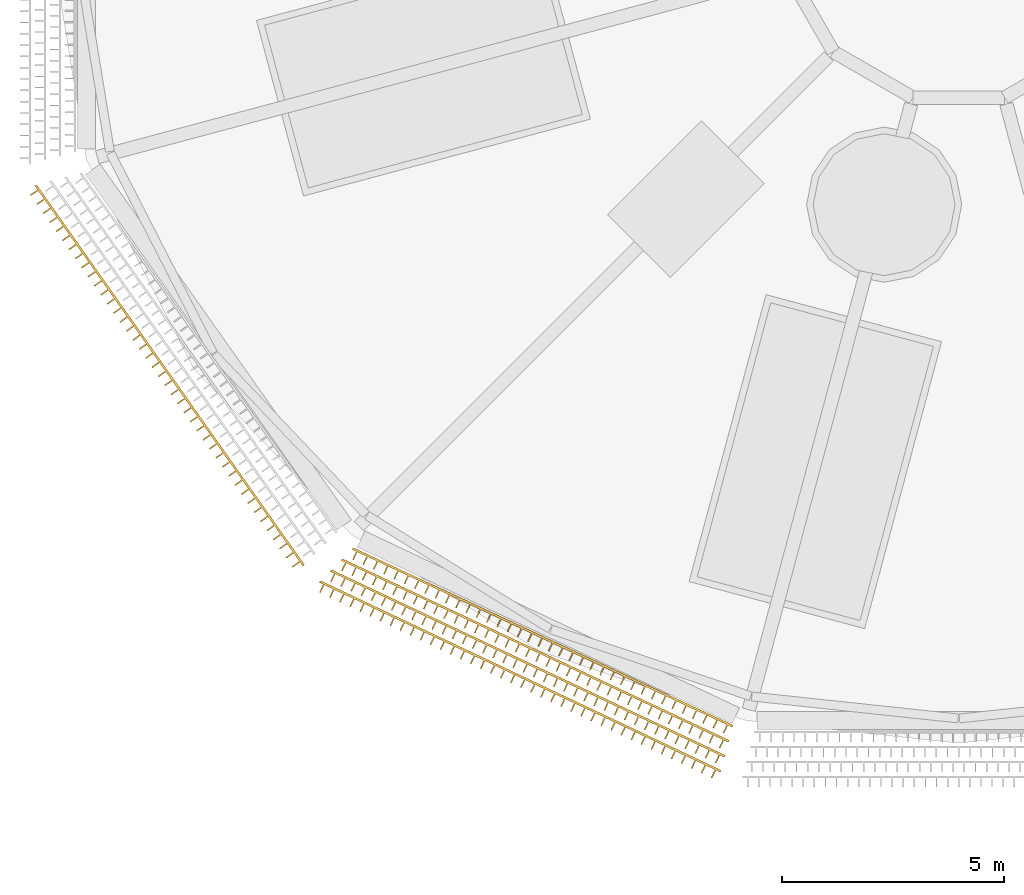
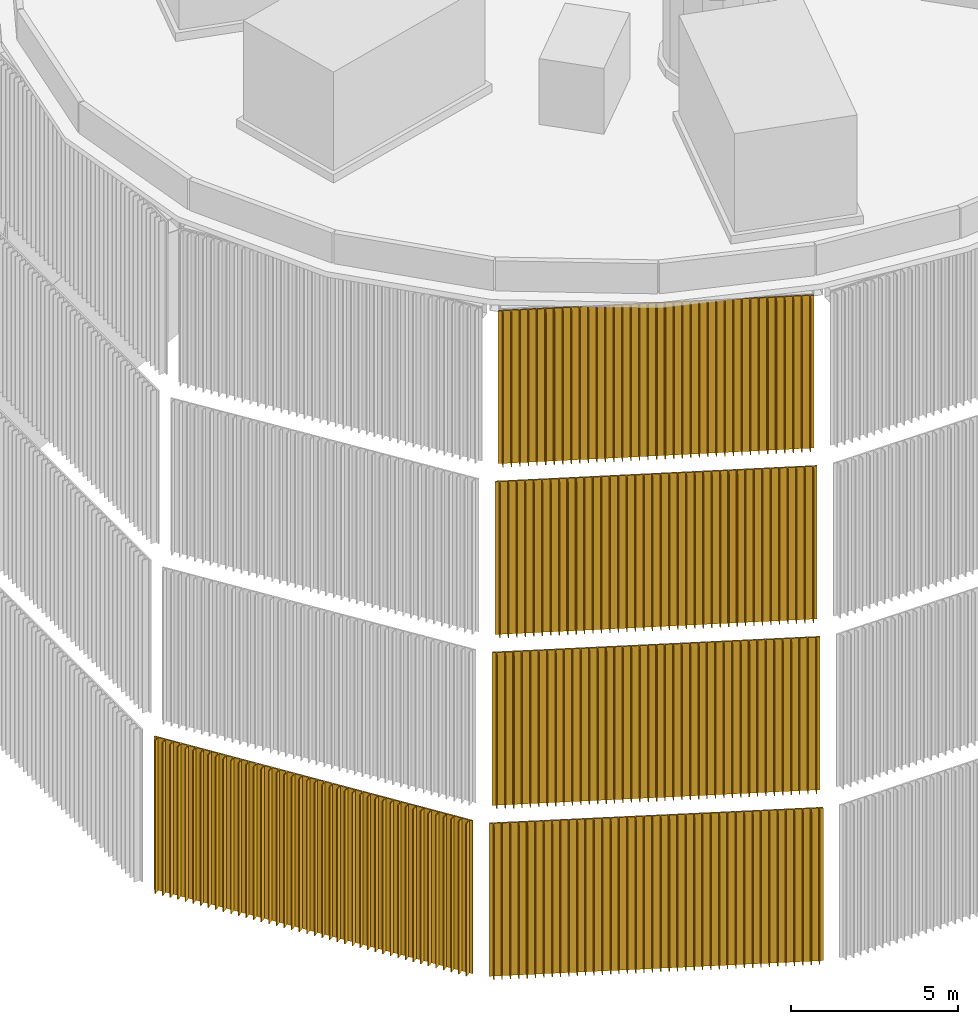
# One storey, part 3 of 24: 5 coverings.
"""IFC4 building model written with IfcOpenShell, lengths in metres."""

from ifc_helpers import new_model, si_unit, direction, frame, origin, place, context, subcontext, project, spatial, polyline, outline, extrude, material, type_object, element, save


model = new_model("IFC4")

# Units and contexts
model_context = context("Model", 3, precision=1e-05, world=origin(), true_north=direction((0.0, 1.0)))
body_context = subcontext(model_context, "Body", "Model", "MODEL_VIEW")
ifc_project = project(units=[si_unit("LENGTHUNIT", "METRE"), si_unit("AREAUNIT", "SQUARE_METRE"), si_unit("VOLUMEUNIT", "CUBIC_METRE"), si_unit("PLANEANGLEUNIT", "RADIAN"), si_unit("MASSUNIT", "GRAM", prefix="KILO")], contexts=[model_context])

# Site, building, storey
site_placement = place(None, origin())
site = spatial("IfcSite", under=ifc_project, at=site_placement, CompositionType="ELEMENT")
building_placement = place(site_placement, origin())
building = spatial("IfcBuilding", under=site, at=building_placement, Name="Rimbun Link Towers", CompositionType="ELEMENT")
storey_placement = place(building_placement, frame((0.0, 0.0, 294.89990234375)))
storey = spatial("IfcBuildingStorey", under=building, at=storey_placement, Name="Roof cap", CompositionType="ELEMENT", Elevation=294.89990234375)

# Coverings
ifc_material = material(Name="Terracotta", Category="masonry")
covering_type = type_object("IfcCoveringType", Name="TERRACOTTA CLADDING screen fins", PredefinedType="CLADDING", material=ifc_material)
covering_1_placement = place(storey_placement, frame((0.0, 0.0, -23.087890625)))
element("IfcCovering", 1, at=covering_1_placement, inside=storey, type_object=covering_type, Name="TERRACOTTA CLADDING screen", PredefinedType="CLADDING", context=body_context, shape_type="SweptSolid", body=[
    extrude(outline(polyline([(-52.59375, -5.847900390625), (-52.5302734375, -5.93798828125), (-52.693603515625, -6.05322265625), (-52.676513671875, -6.07763671875), (-52.512939453125, -5.96240234375), (-52.38623046875, -6.142333984375), (-52.5498046875, -6.257568359375), (-52.532470703125, -6.281982421875), (-52.368896484375, -6.1669921875), (-52.2421875, -6.3466796875), (-52.405517578125, -6.4619140625), (-52.38818359375, -6.486572265625), (-52.224853515625, -6.371337890625), (-52.09814453125, -6.55126953125), (-52.261474609375, -6.66650390625), (-52.244384765625, -6.69091796875), (-52.080810546875, -6.57568359375), (-51.9541015625, -6.755615234375), (-52.117431640625, -6.870849609375), (-52.10009765625, -6.8955078125), (-51.936767578125, -6.7802734375), (-51.809814453125, -6.960205078125), (-51.973388671875, -7.0751953125), (-51.9560546875, -7.099853515625), (-51.792724609375, -6.984619140625), (-51.666015625, -7.16455078125), (-51.829345703125, -7.27978515625), (-51.81201171875, -7.30419921875), (-51.648681640625, -7.18896484375), (-51.521728515625, -7.368896484375), (-51.685302734375, -7.484130859375), (-51.66796875, -7.508544921875), (-51.50439453125, -7.393310546875), (-51.377685546875, -7.5732421875), (-51.541259765625, -7.6884765625), (-51.52392578125, -7.713134765625), (-51.3603515625, -7.597900390625), (-51.233642578125, -7.77783203125), (-51.397216796875, -7.89306640625), (-51.3798828125, -7.91748046875), (-51.21630859375, -7.80224609375), (-51.089599609375, -7.982177734375), (-51.253173828125, -8.097412109375), (-51.23583984375, -8.121826171875), (-51.072265625, -8.006591796875), (-50.945556640625, -8.1865234375), (-51.10888671875, -8.3017578125), (-51.091796875, -8.326416015625), (-50.92822265625, -8.211181640625), (-50.801513671875, -8.39111328125), (-50.96484375, -8.506103515625), (-50.94775390625, -8.53076171875), (-50.7841796875, -8.41552734375), (-50.657470703125, -8.595458984375), (-50.82080078125, -8.710693359375), (-50.8037109375, -8.735107421875), (-50.64013671875, -8.619873046875), (-50.51318359375, -8.7998046875), (-50.6767578125, -8.9150390625), (-50.659423828125, -8.939697265625), (-50.49609375, -8.824462890625), (-50.369384765625, -9.00439453125), (-50.53271484375, -9.119384765625), (-50.515380859375, -9.14404296875), (-50.35205078125, -9.02880859375), (-50.22509765625, -9.208740234375), (-50.388671875, -9.323974609375), (-50.371337890625, -9.348388671875), (-50.2080078125, -9.233154296875), (-50.0810546875, -9.4130859375), (-50.24462890625, -9.5283203125), (-50.227294921875, -9.552734375), (-50.063720703125, -9.4375), (-49.93701171875, -9.617431640625), (-50.1005859375, -9.732666015625), (-50.083251953125, -9.75732421875), (-49.919921875, -9.64208984375), (-49.79296875, -9.822021484375), (-49.95654296875, -9.937255859375), (-49.939208984375, -9.961669921875), (-49.775634765625, -9.846435546875), (-49.64892578125, -10.0263671875), (-49.8125, -10.1416015625), (-49.795166015625, -10.166015625), (-49.631591796875, -10.05078125), (-49.5048828125, -10.230712890625), (-49.668212890625, -10.345947265625), (-49.651123046875, -10.37060546875), (-49.487548828125, -10.25537109375), (-49.36083984375, -10.435302734375), (-49.5244140625, -10.55029296875), (-49.507080078125, -10.574951171875), (-49.343505859375, -10.459716796875), (-49.216796875, -10.6396484375), (-49.380126953125, -10.7548828125), (-49.36279296875, -10.779296875), (-49.199462890625, -10.6640625), (-49.07275390625, -10.843994140625), (-49.236083984375, -10.959228515625), (-49.218994140625, -10.98388671875), (-49.055419921875, -10.86865234375), (-48.9287109375, -11.048583984375), (-49.092041015625, -11.163818359375), (-49.07470703125, -11.188232421875), (-48.911376953125, -11.072998046875), (-48.784423828125, -11.2529296875), (-48.947998046875, -11.3681640625), (-48.9306640625, -11.392578125), (-48.76708984375, -11.27734375), (-48.640380859375, -11.457275390625), (-48.803955078125, -11.572509765625), (-48.78662109375, -11.596923828125), (-48.623291015625, -11.481689453125), (-48.496337890625, -11.66162109375), (-48.659912109375, -11.77685546875), (-48.642578125, -11.801513671875), (-48.47900390625, -11.686279296875), (-48.352294921875, -11.8662109375), (-48.515869140625, -11.981201171875), (-48.49853515625, -12.005859375), (-48.3349609375, -11.890625), (-48.208251953125, -12.070556640625), (-48.37158203125, -12.185791015625), (-48.3544921875, -12.210205078125), (-48.19091796875, -12.09521484375), (-48.064208984375, -12.27490234375), (-48.227783203125, -12.39013671875), (-48.21044921875, -12.414794921875), (-48.046875, -12.299560546875), (-47.920166015625, -12.4794921875), (-48.08349609375, -12.594482421875), (-48.06640625, -12.619140625), (-47.90283203125, -12.50390625), (-47.77587890625, -12.683837890625), (-47.939453125, -12.799072265625), (-47.922119140625, -12.823486328125), (-47.7587890625, -12.708251953125), (-47.632080078125, -12.88818359375), (-47.79541015625, -13.00341796875), (-47.7783203125, -13.028076171875), (-47.61474609375, -12.91259765625), (-47.48779296875, -13.092529296875), (-47.6513671875, -13.2080078125), (-47.634033203125, -13.232421875), (-47.470703125, -13.1171875), (-47.34375, -13.297119140625), (-47.50732421875, -13.412353515625), (-47.489990234375, -13.436767578125), (-47.32666015625, -13.321533203125), (-47.19970703125, -13.50146484375), (-47.36328125, -13.61669921875), (-47.345947265625, -13.64111328125), (-47.1826171875, -13.52587890625), (-47.0556640625, -13.705810546875), (-47.21923828125, -13.821044921875), (-47.201904296875, -13.845703125), (-47.038330078125, -13.73046875), (-46.91162109375, -13.910400390625), (-47.0751953125, -14.025390625), (-47.057861328125, -14.050048828125), (-46.894287109375, -13.934814453125), (-46.767578125, -14.11474609375), (-46.93115234375, -14.22998046875), (-46.913818359375, -14.25439453125), (-46.750244140625, -14.139404296875), (-46.62353515625, -14.319091796875), (-46.787109375, -14.434326171875), (-46.769775390625, -14.458984375), (-46.606201171875, -14.34375), (-46.542724609375, -14.43359375), (-46.507080078125, -14.397705078125), (-52.542236328125, -5.834228515625), (-52.59375, -5.847900390625)])), origin(), (0.0, 0.0, 1.0), 5.575927734375),
])
covering_2_placement = place(storey_placement, frame((0.0, 0.0, -23.087890625)))
element("IfcCovering", 2, at=covering_2_placement, inside=storey, type_object=covering_type, Name="TERRACOTTA CLADDING screen", PredefinedType="CLADDING", context=body_context, shape_type="SweptSolid", body=[
    extrude(outline(polyline([(-46.185302734375, -14.79443359375), (-46.085693359375, -14.841796875), (-46.171142578125, -15.0224609375), (-46.14404296875, -15.035400390625), (-46.05859375, -14.8544921875), (-45.859130859375, -14.94873046875), (-45.944580078125, -15.129638671875), (-45.91748046875, -15.142333984375), (-45.83203125, -14.961669921875), (-45.632568359375, -15.055908203125), (-45.71826171875, -15.23681640625), (-45.69091796875, -15.24951171875), (-45.60546875, -15.06884765625), (-45.406005859375, -15.1630859375), (-45.49169921875, -15.343994140625), (-45.464599609375, -15.356689453125), (-45.37890625, -15.176025390625), (-45.1796875, -15.270263671875), (-45.26513671875, -15.451171875), (-45.238037109375, -15.4638671875), (-45.152587890625, -15.283203125), (-44.953125, -15.37744140625), (-45.038818359375, -15.55810546875), (-45.01171875, -15.571044921875), (-44.926025390625, -15.390380859375), (-44.726806640625, -15.484619140625), (-44.812255859375, -15.665283203125), (-44.78515625, -15.67822265625), (-44.699462890625, -15.497314453125), (-44.500244140625, -15.591796875), (-44.585693359375, -15.7724609375), (-44.55859375, -15.785400390625), (-44.472900390625, -15.6044921875), (-44.273681640625, -15.698974609375), (-44.359130859375, -15.879638671875), (-44.33203125, -15.892578125), (-44.24658203125, -15.711669921875), (-44.047119140625, -15.805908203125), (-44.1328125, -15.98681640625), (-44.105712890625, -15.999755859375), (-44.02001953125, -15.81884765625), (-43.82080078125, -15.9130859375), (-43.90625, -16.093994140625), (-43.879150390625, -16.106689453125), (-43.793701171875, -15.926025390625), (-43.59423828125, -16.020263671875), (-43.6796875, -16.201171875), (-43.652587890625, -16.214111328125), (-43.567138671875, -16.033203125), (-43.36767578125, -16.12744140625), (-43.453125, -16.308349609375), (-43.426025390625, -16.321044921875), (-43.340576171875, -16.140380859375), (-43.14111328125, -16.234619140625), (-43.226806640625, -16.415283203125), (-43.19970703125, -16.42822265625), (-43.114013671875, -16.24755859375), (-42.914794921875, -16.341796875), (-43.000244140625, -16.522705078125), (-42.97314453125, -16.535400390625), (-42.8876953125, -16.3544921875), (-42.688232421875, -16.448974609375), (-42.773681640625, -16.629638671875), (-42.74658203125, -16.642578125), (-42.6611328125, -16.4619140625), (-42.461669921875, -16.55615234375), (-42.54736328125, -16.73681640625), (-42.52001953125, -16.749755859375), (-42.4345703125, -16.56884765625), (-42.235107421875, -16.663330078125), (-42.32080078125, -16.843994140625), (-42.293701171875, -16.85693359375), (-42.2080078125, -16.676025390625), (-42.0087890625, -16.7705078125), (-42.09423828125, -16.951171875), (-42.067138671875, -16.964111328125), (-41.981689453125, -16.783203125), (-41.7822265625, -16.877685546875), (-41.867919921875, -17.058349609375), (-41.8408203125, -17.0712890625), (-41.755126953125, -16.890380859375), (-41.555908203125, -16.984619140625), (-41.641357421875, -17.16552734375), (-41.6142578125, -17.17822265625), (-41.528564453125, -16.99755859375), (-41.329345703125, -17.091796875), (-41.414794921875, -17.272705078125), (-41.3876953125, -17.285400390625), (-41.302001953125, -17.104736328125), (-41.102783203125, -17.198974609375), (-41.188232421875, -17.3798828125), (-41.1611328125, -17.392578125), (-41.07568359375, -17.2119140625), (-40.876220703125, -17.30615234375), (-40.9619140625, -17.487060546875), (-40.934814453125, -17.499755859375), (-40.84912109375, -17.319091796875), (-40.64990234375, -17.413330078125), (-40.7353515625, -17.593994140625), (-40.708251953125, -17.60693359375), (-40.622802734375, -17.42626953125), (-40.42333984375, -17.5205078125), (-40.5087890625, -17.701416015625), (-40.481689453125, -17.714111328125), (-40.396240234375, -17.533203125), (-40.19677734375, -17.627685546875), (-40.2822265625, -17.808349609375), (-40.255126953125, -17.8212890625), (-40.169677734375, -17.640380859375), (-39.97021484375, -17.73486328125), (-40.055908203125, -17.91552734375), (-40.02880859375, -17.928466796875), (-39.943115234375, -17.74755859375), (-39.743896484375, -17.841796875), (-39.829345703125, -18.022705078125), (-39.80224609375, -18.03564453125), (-39.716796875, -17.854736328125), (-39.517333984375, -17.94921875), (-39.602783203125, -18.1298828125), (-39.57568359375, -18.142578125), (-39.490234375, -17.9619140625), (-39.290771484375, -18.05615234375), (-39.37646484375, -18.237060546875), (-39.34912109375, -18.25), (-39.263671875, -18.069091796875), (-39.064208984375, -18.163330078125), (-39.14990234375, -18.34423828125), (-39.122802734375, -18.35693359375), (-39.037109375, -18.17626953125), (-38.837890625, -18.2705078125), (-38.92333984375, -18.451416015625), (-38.896240234375, -18.464111328125), (-38.810791015625, -18.283447265625), (-38.611328125, -18.377685546875), (-38.697021484375, -18.55859375), (-38.669921875, -18.5712890625), (-38.584228515625, -18.390380859375), (-38.385009765625, -18.48486328125), (-38.470458984375, -18.66552734375), (-38.443359375, -18.678466796875), (-38.357666015625, -18.497802734375), (-38.158447265625, -18.592041015625), (-38.243896484375, -18.772705078125), (-38.216796875, -18.78564453125), (-38.13134765625, -18.604736328125), (-37.931884765625, -18.69921875), (-38.017333984375, -18.8798828125), (-37.990234375, -18.892822265625), (-37.90478515625, -18.7119140625), (-37.705322265625, -18.806396484375), (-37.791015625, -18.987060546875), (-37.763916015625, -19.0), (-37.67822265625, -18.819091796875), (-37.47900390625, -18.91357421875), (-37.564453125, -19.09423828125), (-37.537353515625, -19.107177734375), (-37.451904296875, -18.92626953125), (-37.25244140625, -19.0205078125), (-37.337890625, -19.201416015625), (-37.310791015625, -19.214111328125), (-37.225341796875, -19.033447265625), (-37.12548828125, -19.08056640625), (-37.1123046875, -19.031494140625), (-46.147705078125, -14.757080078125), (-46.185302734375, -14.79443359375)])), origin(), (0.0, 0.0, 1.0), 5.575927734375),
])
covering_3_placement = place(storey_placement, frame((0.0, 0.0, -17.087890625)))
element("IfcCovering", 3, at=covering_3_placement, inside=storey, type_object=covering_type, Name="TERRACOTTA CLADDING screen", PredefinedType="CLADDING", context=body_context, shape_type="SweptSolid", body=[
    extrude(outline(polyline([(-45.937744140625, -14.547119140625), (-45.837158203125, -14.594482421875), (-45.922607421875, -14.775390625), (-45.8955078125, -14.7880859375), (-45.81005859375, -14.607177734375), (-45.60888671875, -14.701904296875), (-45.694091796875, -14.8828125), (-45.6669921875, -14.895751953125), (-45.581787109375, -14.71484375), (-45.380615234375, -14.8095703125), (-45.4658203125, -14.990478515625), (-45.438720703125, -15.00341796875), (-45.353515625, -14.822509765625), (-45.15234375, -14.917236328125), (-45.23779296875, -15.09814453125), (-45.21044921875, -15.11083984375), (-45.125244140625, -14.929931640625), (-44.924072265625, -15.024658203125), (-45.009521484375, -15.20556640625), (-44.982421875, -15.218505859375), (-44.89697265625, -15.03759765625), (-44.69580078125, -15.13232421875), (-44.781005859375, -15.313232421875), (-44.75390625, -15.325927734375), (-44.668701171875, -15.14501953125), (-44.467529296875, -15.239990234375), (-44.552734375, -15.4208984375), (-44.525634765625, -15.43359375), (-44.4404296875, -15.252685546875), (-44.2392578125, -15.347412109375), (-44.32470703125, -15.5283203125), (-44.29736328125, -15.541259765625), (-44.212158203125, -15.360107421875), (-44.010986328125, -15.455078125), (-44.09619140625, -15.635986328125), (-44.069091796875, -15.648681640625), (-43.98388671875, -15.4677734375), (-43.78271484375, -15.5625), (-43.867919921875, -15.743408203125), (-43.8408203125, -15.75634765625), (-43.755615234375, -15.575439453125), (-43.554443359375, -15.670166015625), (-43.6396484375, -15.85107421875), (-43.612548828125, -15.864013671875), (-43.52734375, -15.68310546875), (-43.326171875, -15.77783203125), (-43.41162109375, -15.958740234375), (-43.38427734375, -15.971435546875), (-43.299072265625, -15.79052734375), (-43.097900390625, -15.88525390625), (-43.18310546875, -16.06640625), (-43.156005859375, -16.0791015625), (-43.07080078125, -15.898193359375), (-42.86962890625, -15.992919921875), (-42.954833984375, -16.173828125), (-42.927734375, -16.1865234375), (-42.842529296875, -16.005615234375), (-42.641357421875, -16.1005859375), (-42.7265625, -16.281494140625), (-42.699462890625, -16.294189453125), (-42.6142578125, -16.11328125), (-42.4130859375, -16.2080078125), (-42.498291015625, -16.388916015625), (-42.47119140625, -16.40185546875), (-42.385986328125, -16.220947265625), (-42.184814453125, -16.315673828125), (-42.27001953125, -16.49658203125), (-42.242919921875, -16.509521484375), (-42.15771484375, -16.328369140625), (-41.95654296875, -16.423095703125), (-42.041748046875, -16.60400390625), (-42.0146484375, -16.616943359375), (-41.929443359375, -16.43603515625), (-41.728271484375, -16.53076171875), (-41.8134765625, -16.711669921875), (-41.786376953125, -16.724609375), (-41.701171875, -16.543701171875), (-41.5, -16.638427734375), (-41.585205078125, -16.8193359375), (-41.55810546875, -16.83203125), (-41.472900390625, -16.651123046875), (-41.271728515625, -16.74609375), (-41.35693359375, -16.927001953125), (-41.329833984375, -16.939697265625), (-41.24462890625, -16.7587890625), (-41.04345703125, -16.853515625), (-41.128662109375, -17.034423828125), (-41.1015625, -17.047119140625), (-41.016357421875, -16.8662109375), (-40.815185546875, -16.961181640625), (-40.900390625, -17.14208984375), (-40.873291015625, -17.15478515625), (-40.7880859375, -16.973876953125), (-40.5869140625, -17.068603515625), (-40.672119140625, -17.24951171875), (-40.64501953125, -17.262451171875), (-40.559814453125, -17.08154296875), (-40.358642578125, -17.17626953125), (-40.44384765625, -17.357177734375), (-40.416748046875, -17.3701171875), (-40.331298828125, -17.189208984375), (-40.13037109375, -17.28369140625), (-40.215576171875, -17.46484375), (-40.1884765625, -17.4775390625), (-40.103271484375, -17.296630859375), (-39.902099609375, -17.391357421875), (-39.9873046875, -17.572265625), (-39.960205078125, -17.585205078125), (-39.875, -17.404296875), (-39.673828125, -17.4990234375), (-39.759033203125, -17.679931640625), (-39.73193359375, -17.692626953125), (-39.646484375, -17.51171875), (-39.445556640625, -17.606689453125), (-39.53076171875, -17.78759765625), (-39.503662109375, -17.80029296875), (-39.418212890625, -17.619384765625), (-39.21728515625, -17.714111328125), (-39.302490234375, -17.89501953125), (-39.275390625, -17.907958984375), (-39.190185546875, -17.726806640625), (-38.989013671875, -17.82177734375), (-39.07421875, -18.002685546875), (-39.047119140625, -18.015380859375), (-38.9619140625, -17.83447265625), (-38.760498046875, -17.92919921875), (-38.845947265625, -18.110107421875), (-38.81884765625, -18.123046875), (-38.7333984375, -17.942138671875), (-38.532470703125, -18.036865234375), (-38.61767578125, -18.2177734375), (-38.590576171875, -18.230712890625), (-38.505126953125, -18.0498046875), (-38.30419921875, -18.14453125), (-38.389404296875, -18.325439453125), (-38.3623046875, -18.338134765625), (-38.277099609375, -18.1572265625), (-38.07568359375, -18.251953125), (-38.1611328125, -18.43310546875), (-38.1337890625, -18.44580078125), (-38.048583984375, -18.264892578125), (-37.847412109375, -18.359619140625), (-37.932861328125, -18.54052734375), (-37.90576171875, -18.55322265625), (-37.8203125, -18.372314453125), (-37.619384765625, -18.46728515625), (-37.70458984375, -18.648193359375), (-37.677490234375, -18.660888671875), (-37.592041015625, -18.47998046875), (-37.39111328125, -18.57470703125), (-37.476318359375, -18.755615234375), (-37.44921875, -18.7685546875), (-37.36376953125, -18.587646484375), (-37.16259765625, -18.682373046875), (-37.248046875, -18.86328125), (-37.220703125, -18.876220703125), (-37.135498046875, -18.695068359375), (-37.034912109375, -18.742431640625), (-37.021728515625, -18.693603515625), (-45.900146484375, -14.509521484375), (-45.937744140625, -14.547119140625)])), origin(), (0.0, 0.0, 1.0), 5.575927734375),
])
covering_4_placement = place(storey_placement, frame((0.0, 0.0, -11.087890625)))
element("IfcCovering", 4, at=covering_4_placement, inside=storey, type_object=covering_type, Name="TERRACOTTA CLADDING screen", PredefinedType="CLADDING", context=body_context, shape_type="SweptSolid", body=[
    extrude(outline(polyline([(-45.690185546875, -14.299560546875), (-45.5888671875, -14.34716796875), (-45.673828125, -14.5283203125), (-45.646728515625, -14.541015625), (-45.561767578125, -14.35986328125), (-45.358642578125, -14.455078125), (-45.443603515625, -14.63623046875), (-45.41650390625, -14.64892578125), (-45.33154296875, -14.468017578125), (-45.12841796875, -14.563232421875), (-45.21337890625, -14.744384765625), (-45.186279296875, -14.757080078125), (-45.101318359375, -14.575927734375), (-44.8984375, -14.67138671875), (-44.9833984375, -14.852294921875), (-44.956298828125, -14.864990234375), (-44.87109375, -14.68408203125), (-44.668212890625, -14.779296875), (-44.753173828125, -14.960205078125), (-44.72607421875, -14.97314453125), (-44.64111328125, -14.7919921875), (-44.43798828125, -14.88720703125), (-44.52294921875, -15.068359375), (-44.495849609375, -15.0810546875), (-44.410888671875, -14.900146484375), (-44.2080078125, -14.995361328125), (-44.29296875, -15.176513671875), (-44.265625, -15.189208984375), (-44.1806640625, -15.008056640625), (-43.977783203125, -15.103515625), (-44.062744140625, -15.284423828125), (-44.03564453125, -15.297119140625), (-43.95068359375, -15.1162109375), (-43.74755859375, -15.21142578125), (-43.83251953125, -15.392333984375), (-43.805419921875, -15.4052734375), (-43.720458984375, -15.22412109375), (-43.517333984375, -15.3193359375), (-43.602294921875, -15.50048828125), (-43.5751953125, -15.51318359375), (-43.490234375, -15.332275390625), (-43.287353515625, -15.427490234375), (-43.372314453125, -15.6083984375), (-43.34521484375, -15.62109375), (-43.260009765625, -15.440185546875), (-43.05712890625, -15.535400390625), (-43.14208984375, -15.716552734375), (-43.114990234375, -15.729248046875), (-43.030029296875, -15.548095703125), (-42.826904296875, -15.6435546875), (-42.911865234375, -15.824462890625), (-42.884765625, -15.83740234375), (-42.7998046875, -15.65625), (-42.5966796875, -15.75146484375), (-42.681884765625, -15.9326171875), (-42.654541015625, -15.9453125), (-42.569580078125, -15.76416015625), (-42.36669921875, -15.859619140625), (-42.45166015625, -16.04052734375), (-42.424560546875, -16.05322265625), (-42.339599609375, -15.872314453125), (-42.136474609375, -15.967529296875), (-42.221435546875, -16.148681640625), (-42.1943359375, -16.161376953125), (-42.109375, -15.980224609375), (-41.90625, -16.07568359375), (-41.9912109375, -16.256591796875), (-41.964111328125, -16.269287109375), (-41.879150390625, -16.08837890625), (-41.67626953125, -16.18359375), (-41.76123046875, -16.364501953125), (-41.73388671875, -16.37744140625), (-41.64892578125, -16.1962890625), (-41.446044921875, -16.29150390625), (-41.531005859375, -16.47265625), (-41.50390625, -16.4853515625), (-41.4189453125, -16.304443359375), (-41.2158203125, -16.399658203125), (-41.30078125, -16.580810546875), (-41.273681640625, -16.593505859375), (-41.188720703125, -16.412353515625), (-40.985595703125, -16.5078125), (-41.07080078125, -16.688720703125), (-41.04345703125, -16.701416015625), (-40.95849609375, -16.5205078125), (-40.755615234375, -16.61572265625), (-40.840576171875, -16.796630859375), (-40.8134765625, -16.8095703125), (-40.728515625, -16.62841796875), (-40.525390625, -16.7236328125), (-40.6103515625, -16.90478515625), (-40.583251953125, -16.91748046875), (-40.498291015625, -16.736572265625), (-40.295166015625, -16.831787109375), (-40.380126953125, -17.0126953125), (-40.35302734375, -17.025390625), (-40.26806640625, -16.844482421875), (-40.065185546875, -16.939697265625), (-40.150146484375, -17.120849609375), (-40.122802734375, -17.133544921875), (-40.037841796875, -16.952392578125), (-39.8349609375, -17.0478515625), (-39.919921875, -17.228759765625), (-39.892578125, -17.24169921875), (-39.807861328125, -17.060546875), (-39.604736328125, -17.15576171875), (-39.689697265625, -17.3369140625), (-39.66259765625, -17.349609375), (-39.57763671875, -17.168701171875), (-39.37451171875, -17.263916015625), (-39.459716796875, -17.44482421875), (-39.432373046875, -17.45751953125), (-39.347412109375, -17.276611328125), (-39.14453125, -17.371826171875), (-39.2294921875, -17.552978515625), (-39.202392578125, -17.565673828125), (-39.1171875, -17.384521484375), (-38.914306640625, -17.47998046875), (-38.999267578125, -17.660888671875), (-38.97216796875, -17.673583984375), (-38.88720703125, -17.49267578125), (-38.68408203125, -17.587890625), (-38.76904296875, -17.76904296875), (-38.741943359375, -17.78173828125), (-38.656982421875, -17.6005859375), (-38.4541015625, -17.69580078125), (-38.5390625, -17.876953125), (-38.51171875, -17.8896484375), (-38.4267578125, -17.708740234375), (-38.223876953125, -17.803955078125), (-38.308837890625, -17.985107421875), (-38.281494140625, -17.997802734375), (-38.19677734375, -17.816650390625), (-37.99365234375, -17.912109375), (-38.07861328125, -18.093017578125), (-38.051513671875, -18.105712890625), (-37.966552734375, -17.9248046875), (-37.763427734375, -18.02001953125), (-37.848388671875, -18.201171875), (-37.8212890625, -18.2138671875), (-37.736328125, -18.03271484375), (-37.533447265625, -18.1279296875), (-37.618408203125, -18.30908203125), (-37.59130859375, -18.32177734375), (-37.506103515625, -18.140869140625), (-37.30322265625, -18.236083984375), (-37.38818359375, -18.4169921875), (-37.361083984375, -18.429931640625), (-37.27587890625, -18.248779296875), (-37.072998046875, -18.343994140625), (-37.157958984375, -18.525146484375), (-37.130859375, -18.537841796875), (-37.0458984375, -18.356689453125), (-36.9443359375, -18.404541015625), (-36.93115234375, -18.35546875), (-45.652587890625, -14.261962890625), (-45.690185546875, -14.299560546875)])), origin(), (0.0, 0.0, 1.0), 5.575927734375),
])
covering_5_placement = place(storey_placement, frame((0.0, 0.0, -5.087890625)))
element("IfcCovering", 5, at=covering_5_placement, inside=storey, type_object=covering_type, Name="TERRACOTTA CLADDING screen", PredefinedType="CLADDING", context=body_context, shape_type="SweptSolid", body=[
    extrude(outline(polyline([(-45.44287109375, -14.052001953125), (-45.34033203125, -14.10009765625), (-45.425048828125, -14.28125), (-45.39794921875, -14.2939453125), (-45.313232421875, -14.11279296875), (-45.1083984375, -14.20849609375), (-45.193115234375, -14.3896484375), (-45.165771484375, -14.40234375), (-45.0810546875, -14.22119140625), (-44.876220703125, -14.31689453125), (-44.960693359375, -14.498291015625), (-44.93359375, -14.510986328125), (-44.84912109375, -14.32958984375), (-44.64404296875, -14.425537109375), (-44.728759765625, -14.606689453125), (-44.701416015625, -14.619384765625), (-44.61669921875, -14.438232421875), (-44.411865234375, -14.533935546875), (-44.49658203125, -14.715087890625), (-44.469482421875, -14.727783203125), (-44.384765625, -14.546630859375), (-44.1796875, -14.642578125), (-44.264404296875, -14.82373046875), (-44.2373046875, -14.83642578125), (-44.152587890625, -14.6552734375), (-43.947509765625, -14.7509765625), (-44.0322265625, -14.93212890625), (-44.005126953125, -14.94482421875), (-43.92041015625, -14.763671875), (-43.715576171875, -14.859619140625), (-43.800048828125, -15.040771484375), (-43.77294921875, -15.053466796875), (-43.688232421875, -14.872314453125), (-43.4833984375, -14.968017578125), (-43.568115234375, -15.149169921875), (-43.540771484375, -15.161865234375), (-43.4560546875, -14.980712890625), (-43.251220703125, -15.076416015625), (-43.3359375, -15.257568359375), (-43.30859375, -15.270263671875), (-43.22412109375, -15.089111328125), (-43.01904296875, -15.184814453125), (-43.103759765625, -15.3662109375), (-43.076416015625, -15.37890625), (-42.991943359375, -15.197509765625), (-42.786865234375, -15.29345703125), (-42.87158203125, -15.474609375), (-42.844482421875, -15.4873046875), (-42.759765625, -15.30615234375), (-42.5546875, -15.40185546875), (-42.639404296875, -15.5830078125), (-42.6123046875, -15.595703125), (-42.527587890625, -15.41455078125), (-42.322509765625, -15.510498046875), (-42.4072265625, -15.691650390625), (-42.380126953125, -15.704345703125), (-42.29541015625, -15.523193359375), (-42.090576171875, -15.618896484375), (-42.17529296875, -15.800048828125), (-42.14794921875, -15.812744140625), (-42.063232421875, -15.631591796875), (-41.8583984375, -15.727294921875), (-41.943115234375, -15.90869140625), (-41.916015625, -15.92138671875), (-41.831298828125, -15.739990234375), (-41.626220703125, -15.8359375), (-41.7109375, -16.01708984375), (-41.68359375, -16.02978515625), (-41.59912109375, -15.8486328125), (-41.39404296875, -15.9443359375), (-41.478759765625, -16.12548828125), (-41.45166015625, -16.13818359375), (-41.366943359375, -15.95703125), (-41.161865234375, -16.052978515625), (-41.24658203125, -16.234130859375), (-41.219482421875, -16.246826171875), (-41.134765625, -16.065673828125), (-40.9296875, -16.161376953125), (-41.014404296875, -16.342529296875), (-40.9873046875, -16.355224609375), (-40.902587890625, -16.174072265625), (-40.69775390625, -16.27001953125), (-40.7822265625, -16.451171875), (-40.755126953125, -16.4638671875), (-40.67041015625, -16.28271484375), (-40.465576171875, -16.37841796875), (-40.55029296875, -16.5595703125), (-40.52294921875, -16.572265625), (-40.438232421875, -16.39111328125), (-40.2333984375, -16.48681640625), (-40.318115234375, -16.66796875), (-40.291015625, -16.6806640625), (-40.206298828125, -16.49951171875), (-40.001220703125, -16.595458984375), (-40.0859375, -16.776611328125), (-40.05859375, -16.789306640625), (-39.97412109375, -16.608154296875), (-39.76904296875, -16.703857421875), (-39.853759765625, -16.885009765625), (-39.82666015625, -16.897705078125), (-39.741943359375, -16.716552734375), (-39.537109375, -16.812255859375), (-39.62158203125, -16.993408203125), (-39.594482421875, -17.006103515625), (-39.509765625, -16.824951171875), (-39.3046875, -16.9208984375), (-39.389404296875, -17.10205078125), (-39.3623046875, -17.11474609375), (-39.277587890625, -16.93359375), (-39.07275390625, -17.029296875), (-39.157470703125, -17.21044921875), (-39.130126953125, -17.22314453125), (-39.04541015625, -17.0419921875), (-38.840576171875, -17.1376953125), (-38.92529296875, -17.319091796875), (-38.898193359375, -17.331787109375), (-38.8134765625, -17.150390625), (-38.6083984375, -17.246337890625), (-38.693115234375, -17.427490234375), (-38.666015625, -17.440185546875), (-38.581298828125, -17.259033203125), (-38.376220703125, -17.354736328125), (-38.4609375, -17.535888671875), (-38.433837890625, -17.548583984375), (-38.34912109375, -17.367431640625), (-38.14404296875, -17.46337890625), (-38.228759765625, -17.64453125), (-38.20166015625, -17.6572265625), (-38.116943359375, -17.47607421875), (-37.912109375, -17.57177734375), (-37.99658203125, -17.7529296875), (-37.969482421875, -17.765625), (-37.884765625, -17.58447265625), (-37.679931640625, -17.680419921875), (-37.764404296875, -17.861572265625), (-37.7373046875, -17.874267578125), (-37.652587890625, -17.693115234375), (-37.44775390625, -17.788818359375), (-37.532470703125, -17.969970703125), (-37.505126953125, -17.982666015625), (-37.42041015625, -17.801513671875), (-37.215576171875, -17.897216796875), (-37.30029296875, -18.07861328125), (-37.273193359375, -18.09130859375), (-37.1884765625, -17.909912109375), (-36.9833984375, -18.005859375), (-37.068115234375, -18.18701171875), (-37.041015625, -18.19970703125), (-36.956298828125, -18.0185546875), (-36.853759765625, -18.06640625), (-36.840576171875, -18.017333984375), (-45.4052734375, -14.014404296875), (-45.44287109375, -14.052001953125)])), origin(), (0.0, 0.0, 1.0), 5.575927734375),
])

save(model, "model.ifc")
